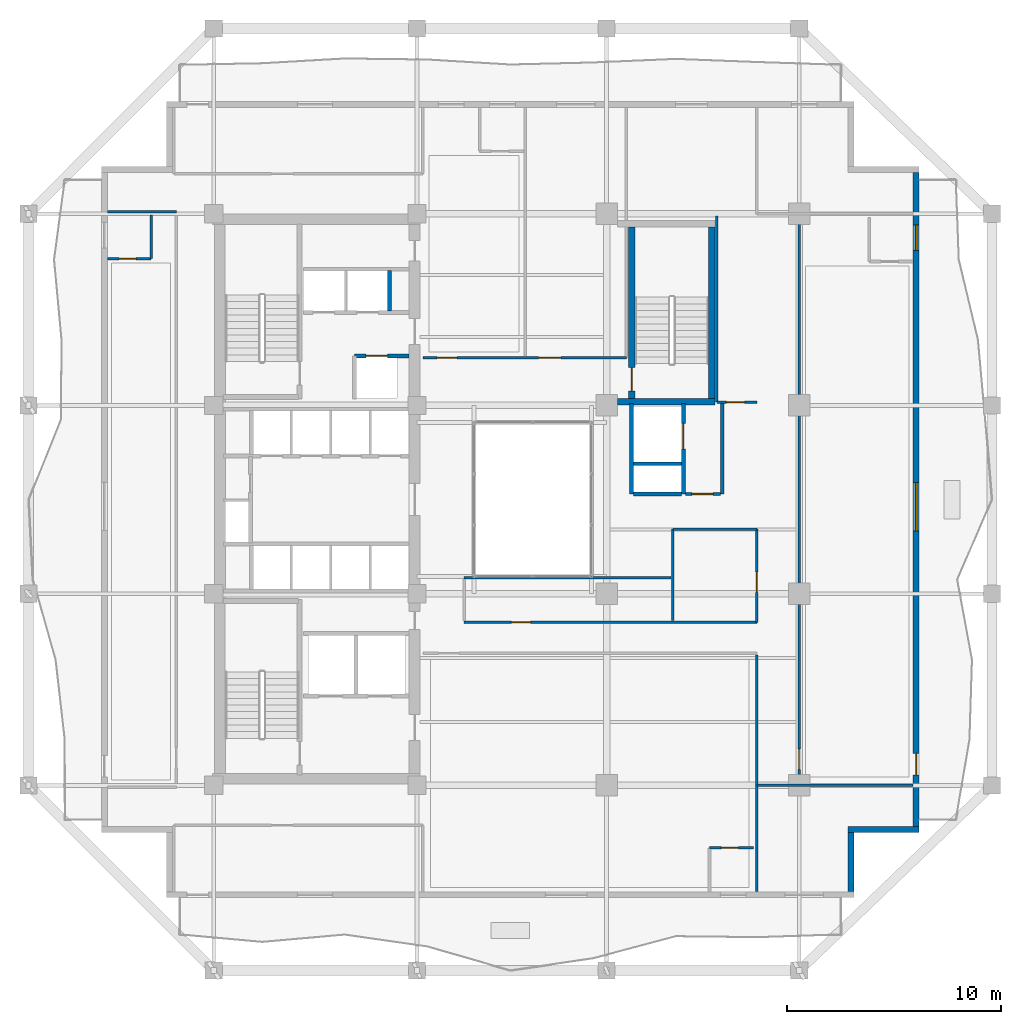
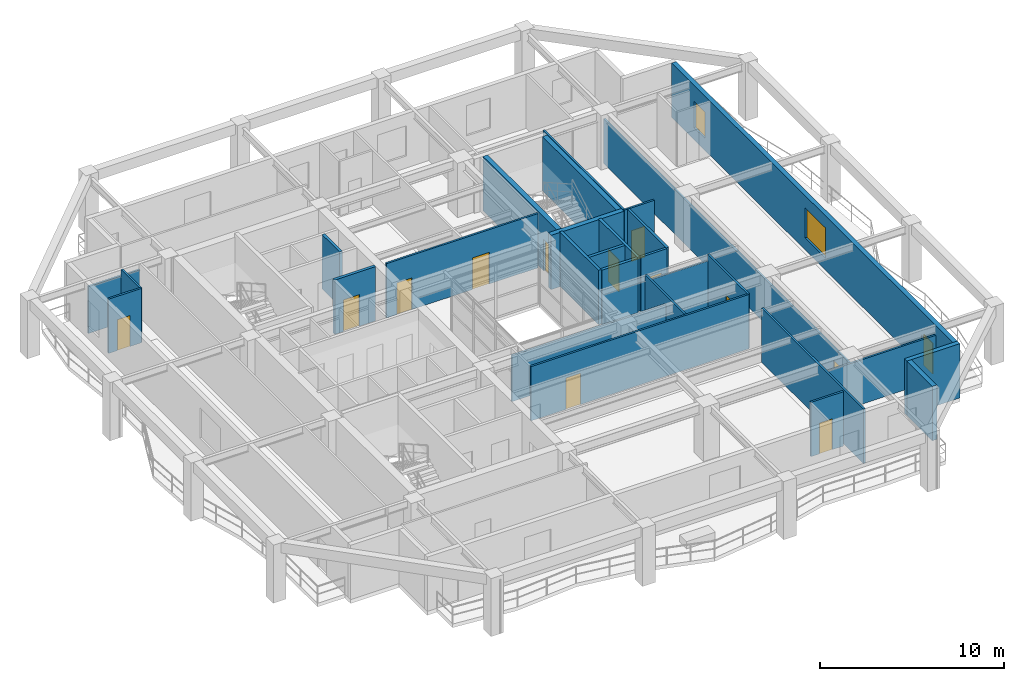
# One storey, part 8 of 14: 29 walls, 13 doors, 2 windows, 15 openings.
"""IFC4 building model written with IfcOpenShell, lengths in metres."""

import ifcopenshell
import ifcopenshell.guid

model = None  # the IFC model being written
_history = None  # IfcOwnerHistory: only IFC2X3 demands one
_inside = {}  # id of a spatial element -> (the spatial element, [elements in it])
_under = {}  # id of a project, library or spatial element -> (it, [spatial elements below it])
_declared = {}  # id of a project -> (the project, [libraries it declares])
_typed = {}  # id of a type object -> (the type object, [elements of that type])
_made_of = {}  # id of a material, layer set ... -> (it, [elements and type objects made of it])


def new_model(schema):
    """Start an empty IFC model of exactly this schema.

    Asked for "IFC4X3", IfcOpenShell would pick the latest addendum, in which some entities
    have other attributes; the version numbers below select the first issue.
    IFC2X3 requires an IfcOwnerHistory on every rooted entity: one is made here for all.
    """
    global model, _history
    if schema == "IFC4X3":
        model = ifcopenshell.file(schema_version=(4, 3, 0, 0))
    else:
        model = ifcopenshell.file(schema=schema)
    _inside.clear()
    _under.clear()
    _declared.clear()
    _typed.clear()
    _made_of.clear()
    _history = None
    if model.schema == "IFC2X3":
        org = make("IfcOrganization", Name="unknown")
        user = make(
            "IfcPersonAndOrganization",
            ThePerson=make("IfcPerson", FamilyName="unknown"),
            TheOrganization=org,
        )
        app = make(
            "IfcApplication",
            ApplicationDeveloper=org,
            Version="unknown",
            ApplicationFullName="unknown",
            ApplicationIdentifier="unknown",
        )
        _history = make(
            "IfcOwnerHistory",
            OwningUser=user,
            OwningApplication=app,
            ChangeAction="ADDED",
            CreationDate=0,
        )
    return model


def make(cls, **values):
    """One entity of the class cls with the attributes given. An attribute that is None is left unset."""
    return model.create_entity(
        cls, **{name: value for name, value in values.items() if value is not None}
    )


def rooted(cls, **values):
    """An entity with a GlobalId (a new one), such as an element, a storey or a relation."""
    return make(cls, GlobalId=ifcopenshell.guid.new(), OwnerHistory=_history, **values)


def si_unit(unit_type, name, prefix=None):
    """IfcSIUnit, for example si_unit("LENGTHUNIT", "METRE", prefix="MILLI")."""
    return make("IfcSIUnit", UnitType=unit_type, Prefix=prefix, Name=name)


def assignment(units):
    """IfcUnitAssignment: the units of a project."""
    return None if units is None else make("IfcUnitAssignment", Units=units)


def point(xyz):
    """IfcCartesianPoint."""
    return None if xyz is None else make("IfcCartesianPoint", Coordinates=xyz)


def direction(xyz):
    """IfcDirection."""
    return None if xyz is None else make("IfcDirection", DirectionRatios=xyz)


def frame(location, z_axis=None, x_axis=None):
    """IfcAxis2Placement3D, a coordinate frame: its origin and axes. An axis left out is left unset."""
    return make(
        "IfcAxis2Placement3D",
        Location=point(location),
        Axis=direction(z_axis),
        RefDirection=direction(x_axis),
    )


def frame_2d(location, x_axis=None):
    """IfcAxis2Placement2D, a coordinate frame in the plane: its origin and x axis."""
    return make(
        "IfcAxis2Placement2D", Location=point(location), RefDirection=direction(x_axis)
    )


def origin():
    """The frame at (0, 0, 0) with its axes left unset."""
    return frame((0.0, 0.0, 0.0))


def place(relative_to, where):
    """IfcLocalPlacement: puts the frame where relative to a parent placement (None: the world)."""
    return make(
        "IfcLocalPlacement", PlacementRelTo=relative_to, RelativePlacement=where
    )


def context(
    kind, dimensions, precision=None, world=None, true_north=None, identifier=None
):
    """IfcGeometricRepresentationContext, for example the 3D "Model" context."""
    return make(
        "IfcGeometricRepresentationContext",
        ContextIdentifier=identifier,
        ContextType=kind,
        CoordinateSpaceDimension=dimensions,
        Precision=precision,
        WorldCoordinateSystem=world,
        TrueNorth=true_north,
    )


def subcontext(parent, identifier, kind, view, scale=None):
    """IfcGeometricRepresentationSubContext, for example "Body" below "Model"."""
    return make(
        "IfcGeometricRepresentationSubContext",
        ContextIdentifier=identifier,
        ContextType=kind,
        ParentContext=parent,
        TargetScale=scale,
        TargetView=view,
    )


def project(units=None, contexts=None):
    """IfcProject with its units and contexts."""
    return rooted(
        "IfcProject",
        Name="project",
        RepresentationContexts=contexts,
        UnitsInContext=assignment(units),
    )


def spatial(cls, under=None, at=None, **own):
    """A site, building, storey or space (cls), placed at a placement, below another one or the project."""
    s = rooted(cls, ObjectPlacement=at, **own)
    if under is not None:
        _under.setdefault(under.id(), (under, []))[1].append(s)
    return s


def profile(cls, at=None, kind="AREA", **sizes):
    """A parametric profile (cls). Its sizes go by their IFC names, for example OverallWidth=200.0."""
    return make(cls, ProfileType=kind, Position=at, **sizes)


def rectangle(**sizes):
    """IfcRectangleProfileDef."""
    return profile("IfcRectangleProfileDef", **sizes)


def extrude(swept, where, along, depth):
    """IfcExtrudedAreaSolid: the profile swept, set in the frame where, extruded along a direction by depth."""
    return make(
        "IfcExtrudedAreaSolid",
        SweptArea=swept,
        Position=where,
        ExtrudedDirection=direction(along),
        Depth=depth,
    )


def shape(context_of_items, identifier, shape_type, items):
    """IfcShapeRepresentation: the items that make up one representation, for example the "Body"."""
    return make(
        "IfcShapeRepresentation",
        ContextOfItems=context_of_items,
        RepresentationIdentifier=identifier,
        RepresentationType=shape_type,
        Items=items,
    )


def material(Name=None, Category=None):
    """IfcMaterial."""
    return make("IfcMaterial", Name=Name, Category=Category)


def layer(
    of_material, thickness, ventilated=None, Name=None, Category=None, Priority=None
):
    """IfcMaterialLayer: one layer of a wall or slab, of a material (None: an air gap)."""
    return make(
        "IfcMaterialLayer",
        Material=of_material,
        LayerThickness=thickness,
        IsVentilated=ventilated,
        Name=Name,
        Category=Category,
        Priority=Priority,
    )


def layer_set(layers, Name=None):
    """IfcMaterialLayerSet."""
    return make("IfcMaterialLayerSet", MaterialLayers=layers, LayerSetName=Name)


def made_of(thing, what):
    """Note that an element or type object is made of a material, layer set ...; save() writes the relation."""
    if what is not None:
        _made_of.setdefault(what.id(), (what, []))[1].append(thing)
    return thing


def type_object(cls, material=None, **own):
    """A type object (cls), such as IfcWallType, which elements share."""
    return made_of(rooted(cls, **own), material)


def element(
    cls,
    number,
    at=None,
    inside=None,
    cuts=None,
    type_object=None,
    material=None,
    context=None,
    identifier="Body",
    shape_type=None,
    held_by="IfcProductDefinitionShape",
    body=None,
    shapes=None,
    **own,
):
    """One element of the class cls, such as IfcWall. Its Tag is "e" and its number.

    at: its placement. inside: the storey or other place that contains it. cuts: it is an
    opening in that element (IfcRelVoidsElement). A single representation is given by context,
    identifier, shape_type and body (its items); several are given by shapes. held_by: the class
    of the entity that holds the representations. save() writes the other relations.
    """
    e = rooted(cls, Tag="e%d" % number, ObjectPlacement=at, **own)
    if body is not None:
        shapes = [shape(context, identifier, shape_type, body)]
    if shapes is not None:
        e.Representation = make(held_by, Representations=shapes)
    if inside is not None:
        _inside.setdefault(inside.id(), (inside, []))[1].append(e)
    if cuts is not None:
        rooted(
            "IfcRelVoidsElement", RelatingBuildingElement=cuts, RelatedOpeningElement=e
        )
    if type_object is not None:
        _typed.setdefault(type_object.id(), (type_object, []))[1].append(e)
    return made_of(e, material)


def fill(opening, filler):
    """IfcRelFillsElement: the door or window that sits in an opening."""
    return rooted(
        "IfcRelFillsElement",
        RelatingOpeningElement=opening,
        RelatedBuildingElement=filler,
    )


def aggregate(whole, parts):
    """IfcRelAggregates: a whole, such as a stair, and the parts it consists of."""
    return rooted("IfcRelAggregates", RelatingObject=whole, RelatedObjects=parts)


def save(model, path):
    """Write the relations noted so far, then the file.

    IfcRelAggregates (storeys below a building ...), IfcRelContainedInSpatialStructure (elements
    in a storey), IfcRelDefinesByType, IfcRelAssociatesMaterial and IfcRelDeclares: one each for
    every whole, place, type object, material and project.
    """
    for whole, parts in _under.values():
        aggregate(whole, parts)
    for where, things in _inside.values():
        rooted(
            "IfcRelContainedInSpatialStructure",
            RelatedElements=things,
            RelatingStructure=where,
        )
    for kind, things in _typed.values():
        rooted("IfcRelDefinesByType", RelatedObjects=things, RelatingType=kind)
    for what, things in _made_of.values():
        rooted("IfcRelAssociatesMaterial", RelatedObjects=things, RelatingMaterial=what)
    for by, libraries in _declared.values():
        rooted("IfcRelDeclares", RelatingContext=by, RelatedDefinitions=libraries)
    model.write(path)


model = new_model("IFC4")

# Units and contexts
model_context = context("Model", 3, precision=1e-05, world=origin(), true_north=direction((0.0, 1.0)))
body_context = subcontext(model_context, "Body", "Model", "MODEL_VIEW")
ifc_project = project(units=[si_unit("LENGTHUNIT", "METRE"), si_unit("AREAUNIT", "SQUARE_METRE"), si_unit("VOLUMEUNIT", "CUBIC_METRE"), si_unit("PLANEANGLEUNIT", "RADIAN"), si_unit("MASSUNIT", "GRAM", prefix="KILO")], contexts=[model_context])

# Site, building, storey
site_placement = place(None, origin())
site = spatial("IfcSite", under=ifc_project, at=site_placement, CompositionType="ELEMENT")
building_placement = place(site_placement, origin())
building = spatial("IfcBuilding", under=site, at=building_placement, Name="Kundavana Baori Tower", CompositionType="ELEMENT")
storey_placement = place(building_placement, frame((0.0, 0.0, 104.0)))
storey = spatial("IfcBuildingStorey", under=building, at=storey_placement, Name="L24", CompositionType="ELEMENT", Elevation=104.0)

# Walls
ifc_material_1 = material(Name="Red-Buff Dholpur Sandstone Cladding on Concrete C40/50", Category="masonry")
ifc_layer_1 = layer(ifc_material_1, 0.280029296875, Name="WL-EXT-SAND-280")
ifc_layer_set_1 = layer_set([ifc_layer_1], Name="Red-Buff Dholpur Sandstone Cladding on Concrete C40/50")
wall_type_1 = type_object("IfcWallType", Name="WL-EXT-SAND-280", PredefinedType="STANDARD", material=ifc_layer_set_1)
wall_1_placement = place(storey_placement, frame((45.2099609375, 10.280029296875, 0.0), z_axis=(0.0, 0.0, 1.0), x_axis=(0.0, 1.0, 0.0)))
element("IfcWall", 1, at=wall_1_placement, inside=storey, type_object=wall_type_1, Name="L24 Exterior Insulated Facade Wall 02", PredefinedType="STANDARD", context=body_context, shape_type="SweptSolid", body=[
    extrude(rectangle(XDim=2.77001953125, YDim=0.280029296875, at=frame_2d((1.385009765625, 0.0))), origin(), (0.0, 0.0, 1.0), 3.60009765625),
])
wall_2_placement = place(storey_placement, frame((45.070068359375, 13.18994140625, 0.0), z_axis=(0.0, 0.0, 1.0), x_axis=(1.0, 0.0, 0.0)))
element("IfcWall", 2, at=wall_2_placement, inside=storey, type_object=wall_type_1, Name="L24 Exterior Insulated Facade Wall 03", PredefinedType="STANDARD", context=body_context, shape_type="SweptSolid", body=[
    extrude(rectangle(XDim=3.329833984375, YDim=0.280029296875, at=frame_2d((1.6650390625, 0.0))), origin(), (0.0, 0.0, 1.0), 3.60009765625),
])

# Wall, openings, door, windows
wall_3_placement = place(storey_placement, frame((48.260009765625, 13.330078125, 0.0), z_axis=(0.0, 0.0, 1.0), x_axis=(0.0, 1.0, 0.0)))
wall_3 = element("IfcWall", 3, at=wall_3_placement, inside=storey, type_object=wall_type_1, Name="L24 Exterior Insulated Facade Wall 04", PredefinedType="STANDARD", context=body_context, shape_type="SweptSolid", body=[
    extrude(rectangle(XDim=30.5400390625, YDim=0.280029296875, at=frame_2d((15.27001953125, 0.0))), origin(), (0.0, 0.0, 1.0), 3.60009765625),
])
opening_1_placement = place(wall_3_placement, frame((2.409912109375, 0.0, 0.0)))
opening_1 = element("IfcOpeningElement", 4, at=opening_1_placement, cuts=wall_3, Name="Opening BD-1", PredefinedType="OPENING", context=body_context, shape_type="SweptSolid", body=[
    extrude(rectangle(XDim=1.0, YDim=2.050048828125, at=frame_2d((0.5, 1.02490234375))), frame((0.0, 0.14990234375, 0.0), z_axis=(0.0, -1.0, 0.0), x_axis=(1.0, 0.0, 0.0)), (0.0, 0.0, 1.0), 0.300048828125),
])
opening_2_placement = place(wall_3_placement, frame((13.804931640625, 0.0, 0.800048828125)))
opening_2 = element("IfcOpeningElement", 5, at=opening_2_placement, cuts=wall_3, Name="Opening W-10", PredefinedType="OPENING", context=body_context, shape_type="SweptSolid", body=[
    extrude(rectangle(XDim=2.25, YDim=2.0, at=frame_2d((1.125, 1.0))), frame((0.0, 0.14990234375, 0.0), z_axis=(0.0, -1.0, 0.0), x_axis=(1.0, 0.0, 0.0)), (0.0, 0.0, 1.0), 0.300048828125),
])
opening_3_placement = place(wall_3_placement, frame((26.905029296875, 0.0, 0.800048828125)))
opening_3 = element("IfcOpeningElement", 6, at=opening_3_placement, cuts=wall_3, Name="Opening W-03", PredefinedType="OPENING", context=body_context, shape_type="SweptSolid", body=[
    extrude(rectangle(XDim=1.199951171875, YDim=1.75, at=frame_2d((0.60009765625, 0.875))), frame((0.0, 0.14990234375, 0.0), z_axis=(0.0, -1.0, 0.0), x_axis=(1.0, 0.0, 0.0)), (0.0, 0.0, 1.0), 0.300048828125),
])
ifc_material_2 = material(Name="Architectural Patinated Bronze Metalwork")
door_type_1 = type_object("IfcDoorType", Name="DR-EXT-LOG-1000", OperationType="NOTDEFINED", PredefinedType="DOOR", material=ifc_material_2)
door_1_placement = place(opening_1_placement, frame((1.0, 0.0, 0.0), z_axis=(0.0, 0.0, 1.0), x_axis=(-1.0, 0.0, 0.0)))
door_1 = element("IfcDoor", 7, at=door_1_placement, inside=storey, type_object=door_type_1, Name="L24 Loggia Balcony Access Door E", OperationType="SINGLE_SWING_RIGHT", OverallHeight=2.050048828125, OverallWidth=1.0, PredefinedType="DOOR", context=body_context, shape_type="SweptSolid", body=[
    extrude(rectangle(XDim=1.0, YDim=2.050048828125, at=frame_2d((0.5, 1.02490234375))), frame((0.0, 0.02490234375, 0.0), z_axis=(0.0, -1.0, 0.0), x_axis=(1.0, 0.0, 0.0)), (0.0, 0.0, 1.0), 0.050048828125),
])
fill(opening_1, door_1)
ifc_material_3 = material(Name="Double-Glazed Solar-Control Low-E Insulated Glass", Category="glass")
window_type_1 = type_object("IfcWindowType", Name="WIN-LOG-1200x1750", PartitioningType="SINGLE_PANEL", PredefinedType="WINDOW", material=ifc_material_3)
window_1_placement = place(opening_3_placement, origin())
window_1 = element("IfcWindow", 8, at=window_1_placement, inside=storey, type_object=window_type_1, Name="L24 Recessed Loggia Window E-2", OverallHeight=1.75, OverallWidth=1.199951171875, PartitioningType="SINGLE_PANEL", PredefinedType="WINDOW", context=body_context, shape_type="SweptSolid", body=[
    extrude(rectangle(XDim=1.199951171875, YDim=1.75, at=frame_2d((0.60009765625, 0.875))), frame((0.0, 0.030029296875, 0.0), z_axis=(0.0, -1.0, 0.0), x_axis=(1.0, 0.0, 0.0)), (0.0, 0.0, 1.0), 0.06005859375),
])
fill(opening_3, window_1)
ifc_material_4 = material(Name="Double-Glazed Solar-Control Low-E Insulated Glass", Category="glass")
window_type_2 = type_object("IfcWindowType", Name="WIN-LOG-2250x2000", PartitioningType="SINGLE_PANEL", PredefinedType="WINDOW", material=ifc_material_4)
window_2_placement = place(opening_2_placement, origin())
window_2 = element("IfcWindow", 9, at=window_2_placement, inside=storey, type_object=window_type_2, Name="L24 Recessed Loggia Window E-1", OverallHeight=2.0, OverallWidth=2.25, PartitioningType="SINGLE_PANEL", PredefinedType="WINDOW", context=body_context, shape_type="SweptSolid", body=[
    extrude(rectangle(XDim=2.25, YDim=2.0, at=frame_2d((1.125, 1.0))), frame((0.0, 0.030029296875, 0.0), z_axis=(0.0, -1.0, 0.0), x_axis=(1.0, 0.0, 0.0)), (0.0, 0.0, 1.0), 0.06005859375),
])
fill(opening_2, window_2)

# Wall, opening, door
ifc_material_5 = material(Name="Acoustic Gypsum Plasterboard on Galvanised Steel Studs", Category="steel")
ifc_layer_2 = layer(ifc_material_5, 0.1201171875, Name="WL-PART-120")
ifc_layer_set_2 = layer_set([ifc_layer_2], Name="Acoustic Gypsum Plasterboard on Galvanised Steel Studs")
wall_type_2 = type_object("IfcWallType", Name="WL-PART-120", PredefinedType="PARTITIONING", material=ifc_layer_set_2)
wall_4_placement = place(storey_placement, frame((27.14990234375, 22.860107421875, 0.0), z_axis=(0.0, 0.0, 1.0), x_axis=(1.0, 0.0, 0.0)))
wall_4 = element("IfcWall", 10, at=wall_4_placement, inside=storey, type_object=wall_type_2, Name="WL-L24-HST", PredefinedType="PARTITIONING", context=body_context, shape_type="SweptSolid", body=[
    extrude(rectangle(XDim=13.670166015625, YDim=0.1201171875, at=frame_2d((6.8349609375, 0.0))), origin(), (0.0, 0.0, 1.0), 3.60009765625),
])
opening_4_placement = place(wall_4_placement, frame((2.199951171875, 0.0, 0.0)))
opening_4 = element("IfcOpeningElement", 11, at=opening_4_placement, cuts=wall_4, Name="Opening ID-090", PredefinedType="OPENING", context=body_context, shape_type="SweptSolid", body=[
    extrude(rectangle(XDim=0.89990234375, YDim=2.080078125, at=frame_2d((0.449951171875, 1.0400390625))), frame((0.0, 0.070068359375, 0.0), z_axis=(0.0, -1.0, 0.0), x_axis=(1.0, 0.0, 0.0)), (0.0, 0.0, 1.0), 0.14013671875),
])
ifc_material_6 = material(Name="Engineered Teak Solid-Core Timber Veneer", Category="wood")
door_type_2 = type_object("IfcDoorType", Name="DR-INT-900", OperationType="NOTDEFINED", PredefinedType="DOOR", material=ifc_material_6)
door_2_placement = place(opening_4_placement, origin())
door_2 = element("IfcDoor", 12, at=door_2_placement, inside=storey, type_object=door_type_2, Name="DR-L24-HPNT", OperationType="SINGLE_SWING_LEFT", OverallHeight=2.080078125, OverallWidth=0.89990234375, PredefinedType="DOOR", context=body_context, shape_type="SweptSolid", body=[
    extrude(rectangle(XDim=0.89990234375, YDim=2.080078125, at=frame_2d((0.449951171875, 1.0400390625))), frame((0.0, 0.02490234375, 0.0), z_axis=(0.0, -1.0, 0.0), x_axis=(1.0, 0.0, 0.0)), (0.0, 0.0, 1.0), 0.050048828125),
])
fill(opening_4, door_2)

# Wall, openings, doors
wall_5_placement = place(storey_placement, frame((25.219970703125, 35.219970703125, 0.0), z_axis=(0.0, 0.0, 1.0), x_axis=(1.0, 0.0, 0.0)))
wall_5 = element("IfcWall", 13, at=wall_5_placement, inside=storey, type_object=wall_type_2, Name="WL-L24-HN", PredefinedType="PARTITIONING", context=body_context, shape_type="SweptSolid", body=[
    extrude(rectangle(XDim=9.5, YDim=0.1201171875, at=frame_2d((4.75, 0.0))), origin(), (0.0, 0.0, 1.0), 3.60009765625),
])
opening_5_placement = place(wall_5_placement, frame((0.64990234375, 0.0, 0.0)))
opening_5 = element("IfcOpeningElement", 14, at=opening_5_placement, cuts=wall_5, Name="Opening FD-095", PredefinedType="OPENING", context=body_context, shape_type="SweptSolid", body=[
    extrude(rectangle(XDim=0.949951171875, YDim=2.10009765625, at=frame_2d((0.47509765625, 1.050048828125))), frame((0.0, 0.070068359375, 0.0), z_axis=(0.0, -1.0, 0.0), x_axis=(1.0, 0.0, 0.0)), (0.0, 0.0, 1.0), 0.14013671875),
])
opening_6_placement = place(wall_5_placement, frame((5.39990234375, 0.0, 0.0)))
opening_6 = element("IfcOpeningElement", 15, at=opening_6_placement, cuts=wall_5, Name="Opening ID-105", PredefinedType="OPENING", context=body_context, shape_type="SweptSolid", body=[
    extrude(rectangle(XDim=1.050048828125, YDim=2.10009765625, at=frame_2d((0.52490234375, 1.050048828125))), frame((0.0, 0.070068359375, 0.0), z_axis=(0.0, -1.0, 0.0), x_axis=(1.0, 0.0, 0.0)), (0.0, 0.0, 1.0), 0.14013671875),
])
ifc_material_7 = material(Name="Engineered Teak Fire-Rated Timber Door Leaf", Category="wood")
door_type_3 = type_object("IfcDoorType", Name="DR-FD60-950", OperationType="NOTDEFINED", PredefinedType="DOOR", material=ifc_material_7)
door_3_placement = place(opening_5_placement, origin())
door_3 = element("IfcDoor", 16, at=door_3_placement, inside=storey, type_object=door_type_3, Name="DR-L24-HK-N1-ENT", OperationType="SINGLE_SWING_LEFT", OverallHeight=2.10009765625, OverallWidth=0.949951171875, PredefinedType="DOOR", context=body_context, shape_type="SweptSolid", body=[
    extrude(rectangle(XDim=0.949951171875, YDim=2.10009765625, at=frame_2d((0.47509765625, 1.050048828125))), frame((0.0, 0.02490234375, 0.0), z_axis=(0.0, -1.0, 0.0), x_axis=(1.0, 0.0, 0.0)), (0.0, 0.0, 1.0), 0.050048828125),
])
fill(opening_5, door_3)
ifc_material_8 = material(Name="Engineered Teak Solid-Core Timber Veneer", Category="wood")
door_type_4 = type_object("IfcDoorType", Name="DR-INT-1050", OperationType="NOTDEFINED", PredefinedType="DOOR", material=ifc_material_8)
door_4_placement = place(opening_6_placement, origin())
door_4 = element("IfcDoor", 17, at=door_4_placement, inside=storey, type_object=door_type_4, Name="DR-L24-HLNG", OperationType="SINGLE_SWING_RIGHT", OverallHeight=2.10009765625, OverallWidth=1.050048828125, PredefinedType="DOOR", context=body_context, shape_type="SweptSolid", body=[
    extrude(rectangle(XDim=1.050048828125, YDim=2.10009765625, at=frame_2d((0.52490234375, 1.050048828125))), frame((0.0, 0.02490234375, 0.0), z_axis=(0.0, -1.0, 0.0), x_axis=(1.0, 0.0, 0.0)), (0.0, 0.0, 1.0), 0.050048828125),
])
fill(opening_6, door_4)

# Wall, opening, door
wall_6_placement = place(storey_placement, frame((42.800048828125, 15.25, 0.0), z_axis=(0.0, 0.0, 1.0), x_axis=(0.0, 1.0, 0.0)))
wall_6 = element("IfcWall", 18, at=wall_6_placement, inside=storey, type_object=wall_type_2, Name="WL-L24-HE", PredefinedType="PARTITIONING", context=body_context, shape_type="SweptSolid", body=[
    extrude(rectangle(XDim=26.699951171875, YDim=0.1201171875, at=frame_2d((13.35009765625, 0.0))), origin(), (0.0, 0.0, 1.0), 2.949951171875),
])
opening_7_placement = place(wall_6_placement, frame((0.75, 0.0, 0.0)))
opening_7 = element("IfcOpeningElement", 19, at=opening_7_placement, cuts=wall_6, Name="Opening FD-095", PredefinedType="OPENING", context=body_context, shape_type="SweptSolid", body=[
    extrude(rectangle(XDim=0.949951171875, YDim=2.10009765625, at=frame_2d((0.47509765625, 1.050048828125))), frame((0.0, 0.070068359375, 0.0), z_axis=(0.0, -1.0, 0.0), x_axis=(1.0, 0.0, 0.0)), (0.0, 0.0, 1.0), 0.14013671875),
])
door_5_placement = place(opening_7_placement, origin())
door_5 = element("IfcDoor", 20, at=door_5_placement, inside=storey, type_object=door_type_3, Name="DR-L24-HK-E1-ENT", OperationType="SINGLE_SWING_LEFT", OverallHeight=2.10009765625, OverallWidth=0.949951171875, PredefinedType="DOOR", context=body_context, shape_type="SweptSolid", body=[
    extrude(rectangle(XDim=0.949951171875, YDim=2.10009765625, at=frame_2d((0.47509765625, 1.050048828125))), frame((0.0, 0.02490234375, 0.0), z_axis=(0.0, -1.0, 0.0), x_axis=(1.0, 0.0, 0.0)), (0.0, 0.0, 1.0), 0.050048828125),
])
fill(opening_7, door_5)

# Wall
wall_7_placement = place(storey_placement, frame((40.820068359375, 15.25, 0.0), z_axis=(0.0, 0.0, 1.0), x_axis=(1.0, 0.0, 0.0)))
element("IfcWall", 21, at=wall_7_placement, inside=storey, type_object=wall_type_2, Name="WL-L24-HES", PredefinedType="PARTITIONING", context=body_context, shape_type="SweptSolid", body=[
    extrude(rectangle(XDim=7.300048828125, YDim=0.1201171875, at=frame_2d((3.64990234375, 0.0))), origin(), (0.0, 0.0, 1.0), 2.949951171875),
])

# Wall, opening, door
wall_8_placement = place(storey_placement, frame((40.820068359375, 22.860107421875, 0.0), z_axis=(0.0, 0.0, 1.0), x_axis=(0.0, 1.0, 0.0)))
wall_8 = element("IfcWall", 22, at=wall_8_placement, inside=storey, type_object=wall_type_2, Name="WL-L24-HEW", PredefinedType="PARTITIONING", context=body_context, shape_type="SweptSolid", body=[
    extrude(rectangle(XDim=4.35986328125, YDim=0.1201171875, at=frame_2d((2.179931640625, 0.0))), origin(), (0.0, 0.0, 1.0), 3.60009765625),
])
opening_8_placement = place(wall_8_placement, frame((1.39990234375, 0.0, 0.0)))
opening_8 = element("IfcOpeningElement", 23, at=opening_8_placement, cuts=wall_8, Name="Opening FD-095", PredefinedType="OPENING", context=body_context, shape_type="SweptSolid", body=[
    extrude(rectangle(XDim=0.949951171875, YDim=2.10009765625, at=frame_2d((0.47509765625, 1.050048828125))), frame((0.0, 0.070068359375, 0.0), z_axis=(0.0, -1.0, 0.0), x_axis=(1.0, 0.0, 0.0)), (0.0, 0.0, 1.0), 0.14013671875),
])
door_6_placement = place(opening_8_placement, frame((0.949951171875, 0.0, 0.0), z_axis=(0.0, 0.0, 1.0), x_axis=(-1.0, 0.0, 0.0)))
door_6 = element("IfcDoor", 24, at=door_6_placement, inside=storey, type_object=door_type_3, Name="DR-L24-HSK", OperationType="SINGLE_SWING_RIGHT", OverallHeight=2.10009765625, OverallWidth=0.949951171875, PredefinedType="DOOR", context=body_context, shape_type="SweptSolid", body=[
    extrude(rectangle(XDim=0.949951171875, YDim=2.10009765625, at=frame_2d((0.47509765625, 1.050048828125))), frame((0.0, 0.02490234375, 0.0), z_axis=(0.0, -1.0, 0.0), x_axis=(1.0, 0.0, 0.0)), (0.0, 0.0, 1.0), 0.050048828125),
])
fill(opening_8, door_6)

# Walls
wall_9_placement = place(storey_placement, frame((10.47998046875, 42.0400390625, 0.0), z_axis=(0.0, 0.0, 1.0), x_axis=(1.0, 0.0, 0.0)))
element("IfcWall", 25, at=wall_9_placement, inside=storey, type_object=wall_type_2, Name="WL-L24-HWN", PredefinedType="PARTITIONING", context=body_context, shape_type="SweptSolid", body=[
    extrude(rectangle(XDim=3.219970703125, YDim=0.1201171875, at=frame_2d((1.60986328125, 0.0))), origin(), (0.0, 0.0, 1.0), 3.10009765625),
])
wall_10_placement = place(storey_placement, frame((36.89990234375, 27.219970703125, 0.0), z_axis=(0.0, 0.0, 1.0), x_axis=(1.0, 0.0, 0.0)))
element("IfcWall", 26, at=wall_10_placement, inside=storey, type_object=wall_type_2, Name="WL-L24-HKN", PredefinedType="PARTITIONING", context=body_context, shape_type="SweptSolid", body=[
    extrude(rectangle(XDim=3.920166015625, YDim=0.1201171875, at=frame_2d((1.9599609375, 0.0))), origin(), (0.0, 0.0, 1.0), 3.199951171875),
])
wall_11_placement = place(storey_placement, frame((36.89990234375, 22.93994140625, 0.0), z_axis=(0.0, 0.0, 1.0), x_axis=(0.0, 1.0, 0.0)))
element("IfcWall", 27, at=wall_11_placement, inside=storey, type_object=wall_type_2, Name="WL-L24-HKD", PredefinedType="PARTITIONING", context=body_context, shape_type="SweptSolid", body=[
    extrude(rectangle(XDim=4.280029296875, YDim=0.1201171875, at=frame_2d((2.14013671875, 0.0))), origin(), (0.0, 0.0, 1.0), 3.60009765625),
])
wall_12_placement = place(storey_placement, frame((27.14990234375, 24.949951171875, 0.0), z_axis=(0.0, 0.0, 1.0), x_axis=(1.0, 0.0, 0.0)))
element("IfcWall", 28, at=wall_12_placement, inside=storey, type_object=wall_type_2, Name="WL-L24-HPN1", PredefinedType="PARTITIONING", context=body_context, shape_type="SweptSolid", body=[
    extrude(rectangle(XDim=9.670166015625, YDim=0.1201171875, at=frame_2d((4.8349609375, 0.0))), origin(), (0.0, 0.0, 1.0), 3.050048828125),
])
wall_13_placement = place(storey_placement, frame((40.820068359375, 10.280029296875, 0.0), z_axis=(0.0, 0.0, 1.0), x_axis=(0.0, 1.0, 0.0)))
element("IfcWall", 29, at=wall_13_placement, inside=storey, type_object=wall_type_2, Name="WL-L24-HSEND", PredefinedType="PARTITIONING", context=body_context, shape_type="SweptSolid", body=[
    extrude(rectangle(XDim=11.06005859375, YDim=0.1201171875, at=frame_2d((5.530029296875, 0.0))), origin(), (0.0, 0.0, 1.0), 3.60009765625),
])

# Wall, opening, door
wall_14_placement = place(storey_placement, frame((38.949951171875, 33.14990234375, 0.0), z_axis=(0.0, 0.0, 1.0), x_axis=(1.0, 0.0, 0.0)))
wall_14 = element("IfcWall", 30, at=wall_14_placement, inside=storey, type_object=wall_type_2, Name="WL-L24-HNES", PredefinedType="PARTITIONING", context=body_context, shape_type="SweptSolid", body=[
    extrude(rectangle(XDim=1.8701171875, YDim=0.1201171875, at=frame_2d((0.93505859375, 0.0))), origin(), (0.0, 0.0, 1.0), 3.60009765625),
])
opening_9_placement = place(wall_14_placement, frame((0.449951171875, 0.0, 0.0)))
opening_9 = element("IfcOpeningElement", 31, at=opening_9_placement, cuts=wall_14, Name="Opening WD-085", PredefinedType="OPENING", context=body_context, shape_type="SweptSolid", body=[
    extrude(rectangle(XDim=0.85009765625, YDim=2.050048828125, at=frame_2d((0.425048828125, 1.02490234375))), frame((0.0, 0.070068359375, 0.0), z_axis=(0.0, -1.0, 0.0), x_axis=(1.0, 0.0, 0.0)), (0.0, 0.0, 1.0), 0.14013671875),
])
ifc_material_9 = material(Name="Engineered Teak Solid-Core Timber Veneer", Category="wood")
door_type_5 = type_object("IfcDoorType", Name="DR-WET-850", OperationType="NOTDEFINED", PredefinedType="DOOR", material=ifc_material_9)
door_7_placement = place(opening_9_placement, origin())
door_7 = element("IfcDoor", 32, at=door_7_placement, inside=storey, type_object=door_type_5, Name="DR-L24-HLNE", OperationType="SINGLE_SWING_LEFT", OverallHeight=2.050048828125, OverallWidth=0.85009765625, PredefinedType="DOOR", context=body_context, shape_type="SweptSolid", body=[
    extrude(rectangle(XDim=0.85009765625, YDim=2.050048828125, at=frame_2d((0.425048828125, 1.02490234375))), frame((0.0, 0.02490234375, 0.0), z_axis=(0.0, -1.0, 0.0), x_axis=(1.0, 0.0, 0.0)), (0.0, 0.0, 1.0), 0.050048828125),
])
fill(opening_9, door_7)

# Walls
wall_15_placement = place(storey_placement, frame((38.949951171875, 33.14990234375, 0.0), z_axis=(0.0, 0.0, 1.0), x_axis=(0.0, 1.0, 0.0)))
element("IfcWall", 33, at=wall_15_placement, inside=storey, type_object=wall_type_2, Name="WL-L24-HNEW", PredefinedType="PARTITIONING", context=body_context, shape_type="SweptSolid", body=[
    extrude(rectangle(XDim=8.7001953125, YDim=0.1201171875, at=frame_2d((4.35009765625, 0.0))), origin(), (0.0, 0.0, 1.0), 3.60009765625),
])
ifc_material_10 = material(Name="Fire-Rated Gypsum Drywall on Galvanised Steel Studs", Category="steel")
ifc_layer_3 = layer(ifc_material_10, 0.14990234375, Name="WL-PART-150")
ifc_layer_set_3 = layer_set([ifc_layer_3], Name="Fire-Rated Gypsum Drywall on Galvanised Steel Studs")
wall_type_3 = type_object("IfcWallType", Name="WL-PART-150", PredefinedType="PARTITIONING", material=ifc_layer_set_3)
wall_16_placement = place(storey_placement, frame((39.199951171875, 28.860107421875, 0.0), z_axis=(0.0, 0.0, 1.0), x_axis=(0.0, 1.0, 0.0)))
element("IfcWall", 34, at=wall_16_placement, inside=storey, type_object=wall_type_3, Name="WL-L24-SVLOB-E", PredefinedType="PARTITIONING", context=body_context, shape_type="SweptSolid", body=[
    extrude(rectangle(XDim=4.219970703125, YDim=0.14990234375, at=frame_2d((2.10986328125, 0.0))), origin(), (0.0, 0.0, 1.0), 3.60009765625),
])

# Wall, opening, door
wall_17_placement = place(storey_placement, frame((37.47998046875, 28.860107421875, 0.0), z_axis=(0.0, 0.0, 1.0), x_axis=(1.0, 0.0, 0.0)))
wall_17 = element("IfcWall", 35, at=wall_17_placement, inside=storey, type_object=wall_type_3, Name="WL-L24-SVLOB-S", PredefinedType="PARTITIONING", context=body_context, shape_type="SweptSolid", body=[
    extrude(rectangle(XDim=1.64013671875, YDim=0.14990234375, at=frame_2d((0.820068359375, 0.0))), origin(), (0.0, 0.0, 1.0), 3.60009765625),
])
opening_10_placement = place(wall_17_placement, frame((0.300048828125, 0.0, 0.0)))
opening_10 = element("IfcOpeningElement", 36, at=opening_10_placement, cuts=wall_17, Name="Opening FD-100", PredefinedType="OPENING", context=body_context, shape_type="SweptSolid", body=[
    extrude(rectangle(XDim=1.0, YDim=2.10009765625, at=frame_2d((0.5, 1.050048828125))), frame((0.0, 0.0849609375, 0.0), z_axis=(0.0, -1.0, 0.0), x_axis=(1.0, 0.0, 0.0)), (0.0, 0.0, 1.0), 0.169921875),
])
ifc_material_11 = material(Name="Engineered Teak Fire-Rated Timber Door Leaf", Category="wood")
door_type_6 = type_object("IfcDoorType", Name="DR-FD60-1000", OperationType="NOTDEFINED", PredefinedType="DOOR", material=ifc_material_11)
door_8_placement = place(opening_10_placement, origin())
door_8 = element("IfcDoor", 37, at=door_8_placement, inside=storey, type_object=door_type_6, Name="DR-L24-SVLOB-OUT", OperationType="SINGLE_SWING_LEFT", OverallHeight=2.10009765625, OverallWidth=1.0, PredefinedType="DOOR", context=body_context, shape_type="SweptSolid", body=[
    extrude(rectangle(XDim=1.0, YDim=2.10009765625, at=frame_2d((0.5, 1.050048828125))), frame((0.0, 0.02490234375, 0.0), z_axis=(0.0, -1.0, 0.0), x_axis=(1.0, 0.0, 0.0)), (0.0, 0.0, 1.0), 0.050048828125),
])
fill(opening_10, door_8)

ifc_material_12 = material(Name="Autoclaved Aerated Concrete Blockwork Masonry", Category="masonry")
ifc_layer_4 = layer(ifc_material_12, 0.179931640625, Name="WL-SHAFT-180")
ifc_layer_set_4 = layer_set([ifc_layer_4], Name="Autoclaved Aerated Concrete Blockwork Masonry")
wall_type_4 = type_object("IfcWallType", Name="WL-SHAFT-180", PredefinedType="SOLIDWALL", material=ifc_layer_set_4)
wall_18_placement = place(storey_placement, frame((22.02001953125, 35.31005859375, 0.0), z_axis=(0.0, 0.0, 1.0), x_axis=(1.0, 0.0, 0.0)))
wall_18 = element("IfcWall", 38, at=wall_18_placement, inside=storey, type_object=wall_type_4, Name="WL-L24-LP11-N", PredefinedType="SOLIDWALL", context=body_context, shape_type="SweptSolid", body=[
    extrude(rectangle(XDim=2.56005859375, YDim=0.179931640625, at=frame_2d((1.280029296875, 0.0))), origin(), (0.0, 0.0, 1.0), 3.60009765625),
])
opening_11_placement = place(wall_18_placement, frame((0.550048828125, 0.0, 0.0)))
opening_11 = element("IfcOpeningElement", 39, at=opening_11_placement, cuts=wall_18, Name="Opening LD-100", PredefinedType="OPENING", context=body_context, shape_type="SweptSolid", body=[
    extrude(rectangle(XDim=1.0, YDim=2.10009765625, at=frame_2d((0.5, 1.050048828125))), frame((0.0, 0.10009765625, 0.0), z_axis=(0.0, -1.0, 0.0), x_axis=(1.0, 0.0, 0.0)), (0.0, 0.0, 1.0), 0.199951171875),
])
ifc_material_13 = material(Name="Galvanised Steel Fire-Rated Door Leaf", Category="steel")
door_type_7 = type_object("IfcDoorType", Name="DR-SLIDE-LD1000", OperationType="NOTDEFINED", PredefinedType="DOOR", material=ifc_material_13)
door_9_placement = place(opening_11_placement, origin())
door_9 = element("IfcDoor", 40, at=door_9_placement, inside=storey, type_object=door_type_7, Name="DR-L24-LD-LP11", OperationType="DOUBLE_DOOR_SLIDING", OverallHeight=2.10009765625, OverallWidth=1.0, PredefinedType="DOOR", context=body_context, shape_type="SweptSolid", body=[
    extrude(rectangle(XDim=1.0, YDim=2.10009765625, at=frame_2d((0.5, 1.050048828125))), frame((0.0, 0.02490234375, 0.0), z_axis=(0.0, -1.0, 0.0), x_axis=(1.0, 0.0, 0.0)), (0.0, 0.0, 1.0), 0.050048828125),
])
fill(opening_11, door_9)

# Walls
wall_19_placement = place(storey_placement, frame((23.659912109375, 37.39990234375, 0.0), z_axis=(0.0, 0.0, 1.0), x_axis=(0.0, 1.0, 0.0)))
element("IfcWall", 41, at=wall_19_placement, inside=storey, type_object=wall_type_4, Name="WL-L24-HR-DIV2", PredefinedType="SOLIDWALL", context=body_context, shape_type="SweptSolid", body=[
    extrude(rectangle(XDim=1.900146484375, YDim=0.179931640625, at=frame_2d((0.9501953125, 0.0))), origin(), (0.0, 0.0, 1.0), 3.60009765625),
])
wall_20_placement = place(storey_placement, frame((34.9599609375, 28.860107421875, 0.0), z_axis=(0.0, 0.0, 1.0), x_axis=(0.0, 1.0, 0.0)))
element("IfcWall", 42, at=wall_20_placement, inside=storey, type_object=wall_type_4, Name="WL-L24-SVL-W", PredefinedType="SOLIDWALL", context=body_context, shape_type="SweptSolid", body=[
    extrude(rectangle(XDim=4.219970703125, YDim=0.179931640625, at=frame_2d((2.10986328125, 0.0))), origin(), (0.0, 0.0, 1.0), 3.60009765625),
])

# Wall, opening, door
wall_21_placement = place(storey_placement, frame((37.389892578125, 28.860107421875, 0.0), z_axis=(0.0, 0.0, 1.0), x_axis=(0.0, 1.0, 0.0)))
wall_21 = element("IfcWall", 43, at=wall_21_placement, inside=storey, type_object=wall_type_4, Name="WL-L24-SVL-E", PredefinedType="SOLIDWALL", context=body_context, shape_type="SweptSolid", body=[
    extrude(rectangle(XDim=4.219970703125, YDim=0.179931640625, at=frame_2d((2.10986328125, 0.0))), origin(), (0.0, 0.0, 1.0), 3.60009765625),
])
opening_12_placement = place(wall_21_placement, frame((2.10009765625, 0.0, 0.0)))
opening_12 = element("IfcOpeningElement", 44, at=opening_12_placement, cuts=wall_21, Name="Opening LD-120", PredefinedType="OPENING", context=body_context, shape_type="SweptSolid", body=[
    extrude(rectangle(XDim=1.199951171875, YDim=2.1201171875, at=frame_2d((0.60009765625, 1.06005859375))), frame((0.0, 0.10009765625, 0.0), z_axis=(0.0, -1.0, 0.0), x_axis=(1.0, 0.0, 0.0)), (0.0, 0.0, 1.0), 0.199951171875),
])
ifc_material_14 = material(Name="Galvanised Steel Fire-Rated Door Leaf", Category="steel")
door_type_8 = type_object("IfcDoorType", Name="DR-SLIDE-LD1200", OperationType="NOTDEFINED", PredefinedType="DOOR", material=ifc_material_14)
door_10_placement = place(opening_12_placement, frame((1.199951171875, 0.0, 0.0), z_axis=(0.0, 0.0, 1.0), x_axis=(-1.0, 0.0, 0.0)))
door_10 = element("IfcDoor", 45, at=door_10_placement, inside=storey, type_object=door_type_8, Name="DR-L24-LD-SVL1", OperationType="DOUBLE_DOOR_SLIDING", OverallHeight=2.1201171875, OverallWidth=1.199951171875, PredefinedType="DOOR", context=body_context, shape_type="SweptSolid", body=[
    extrude(rectangle(XDim=1.199951171875, YDim=2.1201171875, at=frame_2d((0.60009765625, 1.06005859375))), frame((0.0, 0.02490234375, 0.0), z_axis=(0.0, -1.0, 0.0), x_axis=(1.0, 0.0, 0.0)), (0.0, 0.0, 1.0), 0.050048828125),
])
fill(opening_12, door_10)

# Walls
for number, where, z_axis, x_axis, name in (
    (46, (35.050048828125, 28.860107421875, 0.0), (0.0, 0.0, 1.0), (1.0, 0.0, 0.0), "WL-L24-SVL-S"),
    (47, (35.050048828125, 30.27001953125, 0.0), (0.0, 0.0, 1.0), (1.0, 0.0, 0.0), "WL-L24-SVL-M"),
):
    element("IfcWall", number, at=place(storey_placement, frame(where, z_axis=z_axis, x_axis=x_axis)), inside=storey, type_object=wall_type_4, Name=name, PredefinedType="SOLIDWALL", context=body_context, shape_type="SweptSolid", body=[
        extrude(rectangle(XDim=2.25, YDim=0.179931640625, at=frame_2d((1.125, 0.0))), origin(), (0.0, 0.0, 1.0), 3.60009765625),
    ])
ifc_material_15 = material(Name="Concrete C50/60", Category="concrete")
ifc_layer_5 = layer(ifc_material_15, 0.300048828125, Name="WL-ST3-300")
ifc_layer_set_5 = layer_set([ifc_layer_5], Name="Concrete C50/60")
wall_type_5 = type_object("IfcWallType", Name="WL-ST3-300", PredefinedType="SHEAR", material=ifc_layer_set_5)
wall_22_placement = place(storey_placement, frame((34.300048828125, 33.159912109375, 0.0), z_axis=(0.0, 0.0, 1.0), x_axis=(1.0, 0.0, 0.0)))
element("IfcWall", 48, at=wall_22_placement, inside=storey, type_object=wall_type_5, Name="L24 Stair ST3 South Shear Wall", PredefinedType="SHEAR", context=body_context, shape_type="SweptSolid", body=[
    extrude(rectangle(XDim=4.570068359375, YDim=0.300048828125, at=frame_2d((2.28515625, 0.0))), origin(), (0.0, 0.0, 1.0), 3.60009765625),
])

# Wall, opening, door
wall_23_placement = place(storey_placement, frame((34.97998046875, 33.31005859375, 0.0), z_axis=(0.0, 0.0, 1.0), x_axis=(0.0, 1.0, 0.0)))
wall_23 = element("IfcWall", 49, at=wall_23_placement, inside=storey, type_object=wall_type_5, Name="L24 Stair ST3 West Shear Wall", PredefinedType="SHEAR", context=body_context, shape_type="SweptSolid", body=[
    extrude(rectangle(XDim=8.030029296875, YDim=0.300048828125, at=frame_2d((4.01513671875, 0.0))), origin(), (0.0, 0.0, 1.0), 3.60009765625),
])
opening_13_placement = place(wall_23_placement, frame((0.35009765625, 0.0, 0.0)))
opening_13 = element("IfcOpeningElement", 50, at=opening_13_placement, cuts=wall_23, Name="Opening FD-110", PredefinedType="OPENING", context=body_context, shape_type="SweptSolid", body=[
    extrude(rectangle(XDim=1.10009765625, YDim=2.10009765625, at=frame_2d((0.550048828125, 1.050048828125))), frame((0.0, 0.16015625, 0.0), z_axis=(0.0, -1.0, 0.0), x_axis=(1.0, 0.0, 0.0)), (0.0, 0.0, 1.0), 0.320068359375),
])
ifc_material_16 = material(Name="Galvanised Steel Fire-Rated Door Leaf", Category="steel")
door_type_9 = type_object("IfcDoorType", Name="DR-FD120-1100", OperationType="NOTDEFINED", PredefinedType="DOOR", material=ifc_material_16)
door_11_placement = place(opening_13_placement, origin())
door_11 = element("IfcDoor", 51, at=door_11_placement, inside=storey, type_object=door_type_9, Name="DR-L24-ST3-W", OperationType="SINGLE_SWING_LEFT", OverallHeight=2.10009765625, OverallWidth=1.10009765625, PredefinedType="DOOR", context=body_context, shape_type="SweptSolid", body=[
    extrude(rectangle(XDim=1.10009765625, YDim=2.10009765625, at=frame_2d((0.550048828125, 1.050048828125))), frame((0.0, 0.02490234375, 0.0), z_axis=(0.0, -1.0, 0.0), x_axis=(1.0, 0.0, 0.0)), (0.0, 0.0, 1.0), 0.050048828125),
])
fill(opening_13, door_11)

# Walls
wall_24_placement = place(storey_placement, frame((38.719970703125, 33.31005859375, 0.0), z_axis=(0.0, 0.0, 1.0), x_axis=(0.0, 1.0, 0.0)))
element("IfcWall", 52, at=wall_24_placement, inside=storey, type_object=wall_type_5, Name="L24 Stair ST3 East Shear Wall", PredefinedType="SHEAR", context=body_context, shape_type="SweptSolid", body=[
    extrude(rectangle(XDim=8.030029296875, YDim=0.300048828125, at=frame_2d((4.01513671875, 0.0))), origin(), (0.0, 0.0, 1.0), 3.60009765625),
])
ifc_material_17 = material(Name="Autoclaved Aerated Concrete Blockwork Masonry", Category="masonry")
ifc_layer_6 = layer(ifc_material_17, 0.125, Name="WL-WET-120")
ifc_layer_set_6 = layer_set([ifc_layer_6], Name="Autoclaved Aerated Concrete Blockwork Masonry")
wall_type_6 = type_object("IfcWallType", Name="WL-WET-120", PredefinedType="PLUMBINGWALL", material=ifc_layer_set_6)
wall_25_placement = place(storey_placement, frame((12.530029296875, 39.85009765625, 0.0), z_axis=(0.0, 0.0, 1.0), x_axis=(0.0, 1.0, 0.0)))
element("IfcWall", 53, at=wall_25_placement, inside=storey, type_object=wall_type_6, Name="WL-L24-HK-W1-BE", PredefinedType="PLUMBINGWALL", context=body_context, shape_type="SweptSolid", body=[
    extrude(rectangle(XDim=2.0498046875, YDim=0.125, at=frame_2d((1.02490234375, 0.0))), origin(), (0.0, 0.0, 1.0), 3.60009765625),
])

# Wall, opening, door
wall_26_placement = place(storey_placement, frame((10.47998046875, 39.85009765625, 0.0), z_axis=(0.0, 0.0, 1.0), x_axis=(1.0, 0.0, 0.0)))
wall_26 = element("IfcWall", 54, at=wall_26_placement, inside=storey, type_object=wall_type_6, Name="WL-L24-HK-W1-BS", PredefinedType="PLUMBINGWALL", context=body_context, shape_type="SweptSolid", body=[
    extrude(rectangle(XDim=2.050048828125, YDim=0.125, at=frame_2d((1.02490234375, 0.0))), origin(), (0.0, 0.0, 1.0), 3.60009765625),
])
opening_14_placement = place(wall_26_placement, frame((0.550048828125, 0.0, 0.0)))
opening_14 = element("IfcOpeningElement", 55, at=opening_14_placement, cuts=wall_26, Name="Opening WD-080", PredefinedType="OPENING", context=body_context, shape_type="SweptSolid", body=[
    extrude(rectangle(XDim=0.800048828125, YDim=2.050048828125, at=frame_2d((0.39990234375, 1.02490234375))), frame((0.0, 0.072509765625, 0.0), z_axis=(0.0, -1.0, 0.0), x_axis=(1.0, 0.0, 0.0)), (0.0, 0.0, 1.0), 0.14501953125),
])
ifc_material_18 = material(Name="Engineered Teak Solid-Core Timber Veneer", Category="wood")
door_type_10 = type_object("IfcDoorType", Name="DR-WET-800", OperationType="NOTDEFINED", PredefinedType="DOOR", material=ifc_material_18)
door_12_placement = place(opening_14_placement, frame((0.800048828125, 0.0, 0.0), z_axis=(0.0, 0.0, 1.0), x_axis=(-1.0, 0.0, 0.0)))
door_12 = element("IfcDoor", 56, at=door_12_placement, inside=storey, type_object=door_type_10, Name="DR-L24-HK-W1-ENS", OperationType="SINGLE_SWING_LEFT", OverallHeight=2.050048828125, OverallWidth=0.800048828125, PredefinedType="DOOR", context=body_context, shape_type="SweptSolid", body=[
    extrude(rectangle(XDim=0.800048828125, YDim=2.050048828125, at=frame_2d((0.39990234375, 1.02490234375))), frame((0.0, 0.02490234375, 0.0), z_axis=(0.0, -1.0, 0.0), x_axis=(1.0, 0.0, 0.0)), (0.0, 0.0, 1.0), 0.050048828125),
])
fill(opening_14, door_12)

wall_27_placement = place(storey_placement, frame((38.610107421875, 12.330078125, 0.0), z_axis=(0.0, 0.0, 1.0), x_axis=(1.0, 0.0, 0.0)))
wall_27 = element("IfcWall", 57, at=wall_27_placement, inside=storey, type_object=wall_type_6, Name="WL-L24-HK-S1-BN", PredefinedType="PLUMBINGWALL", context=body_context, shape_type="SweptSolid", body=[
    extrude(rectangle(XDim=2.0498046875, YDim=0.125, at=frame_2d((1.02490234375, 0.0))), origin(), (0.0, 0.0, 1.0), 3.60009765625),
])
opening_15_placement = place(wall_27_placement, frame((0.550048828125, 0.0, 0.0)))
opening_15 = element("IfcOpeningElement", 58, at=opening_15_placement, cuts=wall_27, Name="Opening WD-080", PredefinedType="OPENING", context=body_context, shape_type="SweptSolid", body=[
    extrude(rectangle(XDim=0.800048828125, YDim=2.050048828125, at=frame_2d((0.39990234375, 1.02490234375))), frame((0.0, 0.072509765625, 0.0), z_axis=(0.0, -1.0, 0.0), x_axis=(1.0, 0.0, 0.0)), (0.0, 0.0, 1.0), 0.14501953125),
])
door_13_placement = place(opening_15_placement, origin())
door_13 = element("IfcDoor", 59, at=door_13_placement, inside=storey, type_object=door_type_10, Name="DR-L24-HK-S1-ENS", OperationType="SINGLE_SWING_LEFT", OverallHeight=2.050048828125, OverallWidth=0.800048828125, PredefinedType="DOOR", context=body_context, shape_type="SweptSolid", body=[
    extrude(rectangle(XDim=0.800048828125, YDim=2.050048828125, at=frame_2d((0.39990234375, 1.02490234375))), frame((0.0, 0.02490234375, 0.0), z_axis=(0.0, -1.0, 0.0), x_axis=(1.0, 0.0, 0.0)), (0.0, 0.0, 1.0), 0.050048828125),
])
fill(opening_15, door_13)

save(model, "model.ifc")
